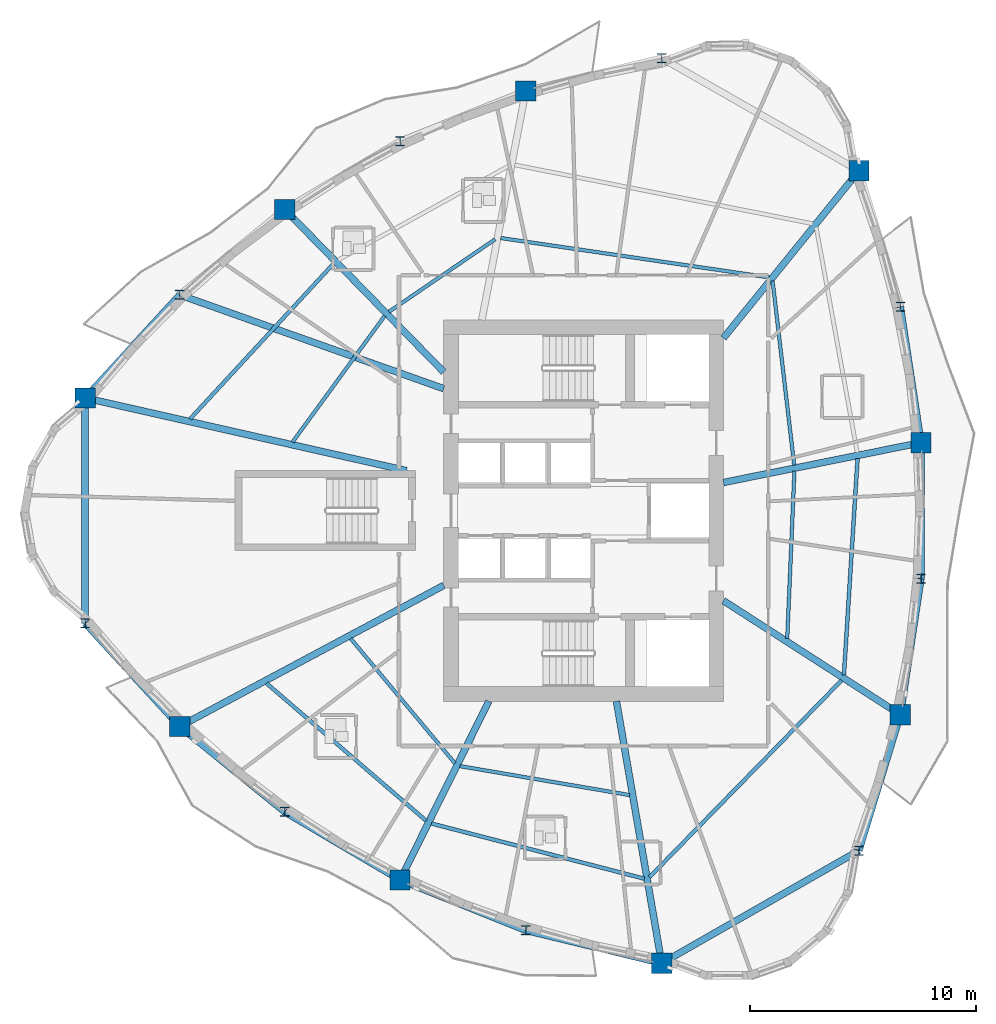
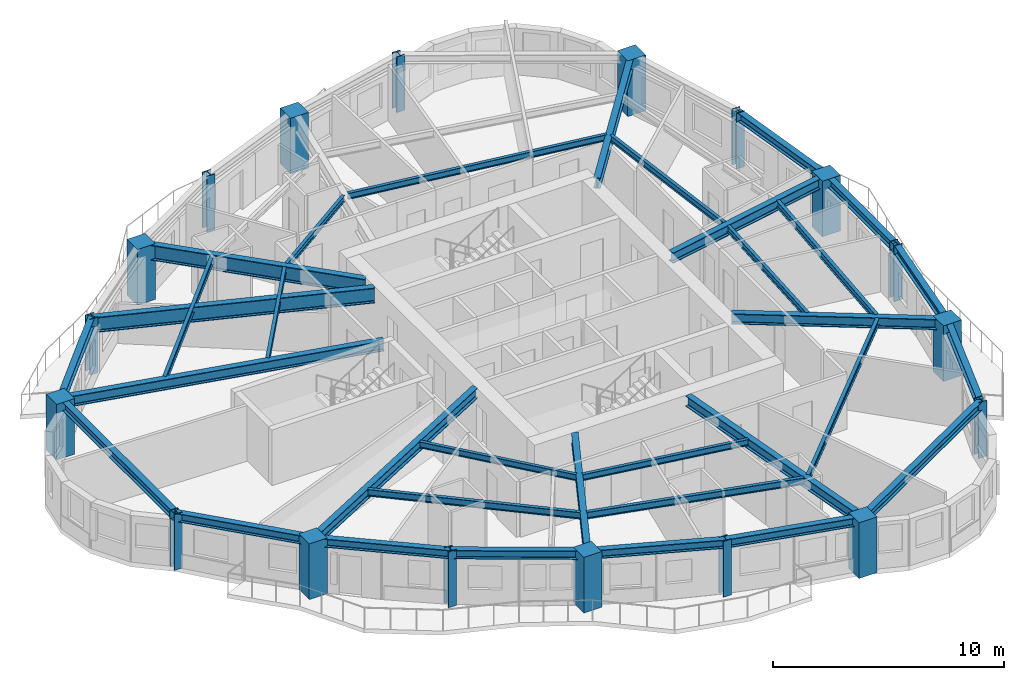
# One storey, part 1 of 12: 33 beams, 18 columns.
"""IFC4 building model written with IfcOpenShell, lengths in metres."""

from ifc_helpers import new_model, si_unit, direction, frame, origin, origin_2d, place, context, subcontext, project, spatial, rectangle, i_section, extrude, source, transform, mapped, material, material_profile, profile_set, type_object, element, save


model = new_model("IFC4")

# Units and contexts
model_context = context("Model", 3, precision=1e-05, world=origin(), true_north=direction((0.0, 1.0)))
body_context = subcontext(model_context, "Body", "Model", "MODEL_VIEW")
ifc_project = project(units=[si_unit("LENGTHUNIT", "METRE"), si_unit("AREAUNIT", "SQUARE_METRE"), si_unit("VOLUMEUNIT", "CUBIC_METRE"), si_unit("PLANEANGLEUNIT", "RADIAN"), si_unit("MASSUNIT", "GRAM", prefix="KILO")], contexts=[model_context])

# Site, building, storey
site_placement = place(None, origin())
site = spatial("IfcSite", under=ifc_project, at=site_placement, CompositionType="ELEMENT")
building_placement = place(site_placement, origin())
building = spatial("IfcBuilding", under=site, at=building_placement, Name="Qafzar Sky-Pleat Residences", CompositionType="ELEMENT")
storey_placement = place(building_placement, frame((0.0, 0.0, 76.800048828125)))
storey = spatial("IfcBuildingStorey", under=building, at=storey_placement, Name="L22", CompositionType="ELEMENT", Elevation=76.800048828125)

# Columns
ifc_material_1 = material(Name="Concrete C60/75", Category="concrete")
ifc_material_profile_1 = material_profile(ifc_material_1, rectangle(XDim=0.89990234375, YDim=0.89990234375, at=origin_2d()), Name="RC 900x900")
ifc_profile_set_1 = profile_set([ifc_material_profile_1], Name="Concrete C60/75")
column_type_1 = type_object("IfcColumnType", Name="COL-RC-900", PredefinedType="COLUMN", material=ifc_profile_set_1)
shared_shape_1 = source(origin(), body_context, "Body", "SweptSolid", [
    extrude(rectangle(XDim=0.89990234375, YDim=0.89990234375, at=origin_2d()), origin(), (0.0, 0.0, 1.0), 2.93505859375),
])
for number, where, z_axis, x_axis, name in (
    (1, (8.255859375, 30.99658203125, 0.0), (0.0, 0.0, 1.0), (1.0, 0.0, 0.0), "L22 Perimeter Mega Column 1"),
    (2, (12.451416015625, 16.436279296875, 0.0), (0.0, 0.0, 1.0), (1.0, 0.0, 0.0), "L22 Perimeter Mega Column 3"),
    (3, (22.217041015625, 9.632568359375, 0.0), (0.0, 0.0, 1.0), (1.0, 0.0, 0.0), "L22 Perimeter Mega Column 5"),
    (4, (33.814697265625, 5.936767578125, 0.0), (0.0, 0.0, 1.0), (1.0, 0.0, 0.0), "L22 Perimeter Mega Column 7"),
    (5, (44.39208984375, 16.9599609375, 0.0), (0.0, 0.0, 1.0), (1.0, 0.0, 0.0), "L22 Perimeter Mega Column 9"),
    (6, (45.30810546875, 29.013427734375, 0.0), (0.0, 0.0, 1.0), (1.0, 0.0, 0.0), "L22 Perimeter Mega Column 11"),
    (7, (42.56005859375, 41.06689453125, 0.0), (0.0, 0.0, 1.0), (1.0, 0.0, 0.0), "L22 Perimeter Mega Column 13"),
    (8, (27.786865234375, 44.60400390625, 0.0), (0.0, 0.0, 1.0), (1.0, 0.0, 0.0), "L22 Perimeter Mega Column 15"),
    (9, (17.105224609375, 39.354248046875, 0.0), (0.0, 0.0, 1.0), (1.0, 0.0, 0.0), "L22 Perimeter Mega Column 17"),
):
    element("IfcColumn", number, at=place(storey_placement, frame(where, z_axis=z_axis, x_axis=x_axis)), inside=storey, type_object=column_type_1, Name=name, PredefinedType="COLUMN", context=body_context, shape_type="MappedRepresentation", body=[
        mapped(shared_shape_1, transform((0.0, 0.0, 0.0), x_axis=(1.0, 0.0, 0.0), y_axis=(0.0, 1.0, 0.0), z_axis=(0.0, 0.0, 1.0), scale=1.0)),
    ])
ifc_material_2 = material(Name="Steel S460", Category="steel")
ifc_material_profile_2 = material_profile(ifc_material_2, i_section(OverallWidth=0.406005859375, OverallDepth=0.416015625, WebThickness=0.027099609375, FlangeThickness=0.0439453125, FilletRadius=0.014892578125, at=origin_2d()), Name="HD 400x382")
ifc_profile_set_2 = profile_set([ifc_material_profile_2], Name="Steel S460")
column_type_2 = type_object("IfcColumnType", Name="COL-STL-HD382", PredefinedType="PILASTER", material=ifc_profile_set_2)
shared_shape_2 = source(origin(), body_context, "Body", "SweptSolid", [
    extrude(i_section(OverallWidth=0.406005859375, OverallDepth=0.416015625, WebThickness=0.027099609375, FlangeThickness=0.0439453125, FilletRadius=0.014892578125, at=origin_2d()), origin(), (0.0, 0.0, 1.0), 2.93505859375),
])
for number, where, z_axis, x_axis, name in (
    (10, (8.255859375, 21.00341796875, 0.0), (0.0, 0.0, 1.0), (1.0, 0.0, 0.0), "L22 Perimeter Mega Column 2"),
    (11, (17.105224609375, 12.645751953125, 0.0), (0.0, 0.0, 1.0), (1.0, 0.0, 0.0), "L22 Perimeter Mega Column 4"),
    (12, (27.786865234375, 7.39599609375, 0.0), (0.0, 0.0, 1.0), (1.0, 0.0, 0.0), "L22 Perimeter Mega Column 6"),
    (13, (42.56005859375, 10.93310546875, 0.0), (0.0, 0.0, 1.0), (1.0, 0.0, 0.0), "L22 Perimeter Mega Column 8"),
    (14, (45.30810546875, 22.986572265625, 0.0), (0.0, 0.0, 1.0), (1.0, 0.0, 0.0), "L22 Perimeter Mega Column 10"),
    (15, (44.39208984375, 35.0400390625, 0.0), (0.0, 0.0, 1.0), (1.0, 0.0, 0.0), "L22 Perimeter Mega Column 12"),
    (16, (33.814697265625, 46.063232421875, 0.0), (0.0, 0.0, 1.0), (1.0, 0.0, 0.0), "L22 Perimeter Mega Column 14"),
    (17, (22.217041015625, 42.367431640625, 0.0), (0.0, 0.0, 1.0), (1.0, 0.0, 0.0), "L22 Perimeter Mega Column 16"),
    (18, (12.451416015625, 35.563720703125, 0.0), (0.0, 0.0, 1.0), (1.0, 0.0, 0.0), "L22 Perimeter Mega Column 18"),
):
    element("IfcColumn", number, at=place(storey_placement, frame(where, z_axis=z_axis, x_axis=x_axis)), inside=storey, type_object=column_type_2, Name=name, PredefinedType="PILASTER", context=body_context, shape_type="MappedRepresentation", body=[
        mapped(shared_shape_2, transform((0.0, 0.0, 0.0), x_axis=(1.0, 0.0, 0.0), y_axis=(0.0, 1.0, 0.0), z_axis=(0.0, 0.0, 1.0), scale=1.0)),
    ])

# Beams
ifc_material_3 = material(Name="Steel S355", Category="steel")
ifc_material_profile_3 = material_profile(ifc_material_3, i_section(OverallWidth=0.300048828125, OverallDepth=0.449951171875, WebThickness=0.013916015625, FlangeThickness=0.02587890625, FilletRadius=0.027099609375, at=origin_2d()), Name="HEB 450")
ifc_profile_set_3 = profile_set([ifc_material_profile_3], Name="Steel S355")
beam_type_1 = type_object("IfcBeamType", Name="BM-SPAN-HEB450", PredefinedType="SPANDREL", material=ifc_profile_set_3)
shared_shape_3 = source(origin(), body_context, "Body", "SweptSolid", [
    extrude(i_section(OverallWidth=0.300048828125, OverallDepth=0.449951171875, WebThickness=0.013916015625, FlangeThickness=0.02587890625, FilletRadius=0.027099609375, at=origin_2d()), origin(), (0.0, 0.0, 1.0), 9.9931640625),
])
beam_1_placement = place(storey_placement, frame((8.255859375, 30.99658203125, 2.7080078125), z_axis=(0.0, -1.0, 0.0), x_axis=(1.0, 0.0, 0.0)))
element("IfcBeam", 19, at=beam_1_placement, inside=storey, type_object=beam_type_1, Name="L22 Perimeter Spandrel Beam 1", PredefinedType="SPANDREL", context=body_context, shape_type="MappedRepresentation", body=[
    mapped(shared_shape_3, transform((0.0, 0.0, 0.0), x_axis=(1.0, 0.0, 0.0), y_axis=(0.0, 1.0, 0.0), z_axis=(0.0, 0.0, 1.0), scale=1.0)),
])
shared_shape_4 = source(origin(), body_context, "Body", "SweptSolid", [
    extrude(i_section(OverallWidth=0.300048828125, OverallDepth=0.449951171875, WebThickness=0.013916015625, FlangeThickness=0.02587890625, FilletRadius=0.027099609375, at=origin_2d()), origin(), (0.0, 0.0, 1.0), 6.20166015625),
])
for number, where, z_axis, x_axis, name in (
    (20, (8.255859375, 21.00341796875, 2.7080078125), (0.676513948363, -0.736429818564, 0.0), (0.736429818564, 0.676513948363, 0.0), "L22 Perimeter Spandrel Beam 2"),
    (21, (12.451416015625, 35.563720703125, 2.7080078125), (-0.676513948363, -0.736429818564, 0.0), (0.736429818564, -0.676513948363, 0.0), "L22 Perimeter Spandrel Beam 18"),
):
    element("IfcBeam", number, at=place(storey_placement, frame(where, z_axis=z_axis, x_axis=x_axis)), inside=storey, type_object=beam_type_1, Name=name, PredefinedType="SPANDREL", context=body_context, shape_type="MappedRepresentation", body=[
        mapped(shared_shape_4, transform((0.0, 0.0, 0.0), x_axis=(1.0, 0.0, 0.0), y_axis=(0.0, 1.0, 0.0), z_axis=(0.0, 0.0, 1.0), scale=1.0)),
    ])
shared_shape_5 = source(origin(), body_context, "Body", "SweptSolid", [
    extrude(i_section(OverallWidth=0.300048828125, OverallDepth=0.449951171875, WebThickness=0.013916015625, FlangeThickness=0.02587890625, FilletRadius=0.027099609375, at=origin_2d()), origin(), (0.0, 0.0, 1.0), 6.002197265625),
])
for number, where, z_axis, x_axis, name in (
    (22, (12.451416015625, 16.436279296875, 2.7080078125), (0.775354482876, -0.631526266978, 0.0), (0.631526266978, 0.775354482876, 0.0), "L22 Perimeter Spandrel Beam 3"),
    (23, (22.217041015625, 9.632568359375, 2.7080078125), (0.927979334947, -0.372631659834, 0.0), (0.372631659834, 0.927979334947, 0.0), "L22 Perimeter Spandrel Beam 5"),
):
    element("IfcBeam", number, at=place(storey_placement, frame(where, z_axis=z_axis, x_axis=x_axis)), inside=storey, type_object=beam_type_1, Name=name, PredefinedType="SPANDREL", context=body_context, shape_type="MappedRepresentation", body=[
        mapped(shared_shape_5, transform((0.0, 0.0, 0.0), x_axis=(1.0, 0.0, 0.0), y_axis=(0.0, 1.0, 0.0), z_axis=(0.0, 0.0, 1.0), scale=1.0)),
    ])
shared_shape_6 = source(origin(), body_context, "Body", "SweptSolid", [
    extrude(i_section(OverallWidth=0.300048828125, OverallDepth=0.449951171875, WebThickness=0.013916015625, FlangeThickness=0.02587890625, FilletRadius=0.027099609375, at=origin_2d()), origin(), (0.0, 0.0, 1.0), 5.933837890625),
])
beam_2_placement = place(storey_placement, frame((17.105224609375, 12.645751953125, 2.7080078125), z_axis=(0.861474825081, -0.507800281362, 0.0), x_axis=(0.507800281362, 0.861474825081, 0.0)))
element("IfcBeam", 24, at=beam_2_placement, inside=storey, type_object=beam_type_1, Name="L22 Perimeter Spandrel Beam 4", PredefinedType="SPANDREL", context=body_context, shape_type="MappedRepresentation", body=[
    mapped(shared_shape_6, transform((0.0, 0.0, 0.0), x_axis=(1.0, 0.0, 0.0), y_axis=(0.0, 1.0, 0.0), z_axis=(0.0, 0.0, 1.0), scale=1.0)),
])
shared_shape_7 = source(origin(), body_context, "Body", "SweptSolid", [
    extrude(i_section(OverallWidth=0.300048828125, OverallDepth=0.449951171875, WebThickness=0.013916015625, FlangeThickness=0.02587890625, FilletRadius=0.027099609375, at=origin_2d()), origin(), (0.0, 0.0, 1.0), 6.201904296875),
])
beam_3_placement = place(storey_placement, frame((27.786865234375, 7.39599609375, 2.7080078125), z_axis=(0.971926258737, -0.235285672275, 0.0), x_axis=(0.235285672275, 0.971926258737, 0.0)))
element("IfcBeam", 25, at=beam_3_placement, inside=storey, type_object=beam_type_1, Name="L22 Perimeter Spandrel Beam 6", PredefinedType="SPANDREL", context=body_context, shape_type="MappedRepresentation", body=[
    mapped(shared_shape_7, transform((0.0, 0.0, 0.0), x_axis=(1.0, 0.0, 0.0), y_axis=(0.0, 1.0, 0.0), z_axis=(0.0, 0.0, 1.0), scale=1.0)),
])
shared_shape_8 = source(origin(), body_context, "Body", "SweptSolid", [
    extrude(i_section(OverallWidth=0.300048828125, OverallDepth=0.449951171875, WebThickness=0.013916015625, FlangeThickness=0.02587890625, FilletRadius=0.027099609375, at=origin_2d()), origin(), (0.0, 0.0, 1.0), 10.072021484375),
])
beam_4_placement = place(storey_placement, frame((33.814697265625, 5.936767578125, 2.7080078125), z_axis=(0.868286397172, 0.496063234363, 0.0), x_axis=(-0.496063234363, 0.868286397172, 0.0)))
element("IfcBeam", 26, at=beam_4_placement, inside=storey, type_object=beam_type_1, Name="L22 Perimeter Spandrel Beam 7", PredefinedType="SPANDREL", context=body_context, shape_type="MappedRepresentation", body=[
    mapped(shared_shape_8, transform((0.0, 0.0, 0.0), x_axis=(1.0, 0.0, 0.0), y_axis=(0.0, 1.0, 0.0), z_axis=(0.0, 0.0, 1.0), scale=1.0)),
])
shared_shape_9 = source(origin(), body_context, "Body", "SweptSolid", [
    extrude(i_section(OverallWidth=0.300048828125, OverallDepth=0.449951171875, WebThickness=0.013916015625, FlangeThickness=0.02587890625, FilletRadius=0.027099609375, at=origin_2d()), origin(), (0.0, 0.0, 1.0), 6.299072265625),
])
beam_5_placement = place(storey_placement, frame((42.56005859375, 10.93310546875, 2.7080078125), z_axis=(0.290837724263, 0.956772396208, 0.0), x_axis=(-0.956772396208, 0.290837724263, 0.0)))
element("IfcBeam", 27, at=beam_5_placement, inside=storey, type_object=beam_type_1, Name="L22 Perimeter Spandrel Beam 8", PredefinedType="SPANDREL", context=body_context, shape_type="MappedRepresentation", body=[
    mapped(shared_shape_9, transform((0.0, 0.0, 0.0), x_axis=(1.0, 0.0, 0.0), y_axis=(0.0, 1.0, 0.0), z_axis=(0.0, 0.0, 1.0), scale=1.0)),
])
shared_shape_10 = source(origin(), body_context, "Body", "SweptSolid", [
    extrude(i_section(OverallWidth=0.300048828125, OverallDepth=0.449951171875, WebThickness=0.013916015625, FlangeThickness=0.02587890625, FilletRadius=0.027099609375, at=origin_2d()), origin(), (0.0, 0.0, 1.0), 6.095947265625),
])
for number, where, z_axis, x_axis, name in (
    (28, (44.39208984375, 16.9599609375, 2.7080078125), (0.150269250575, 0.988645109395, 0.0), (-0.988645109395, 0.150269250575, 0.0), "L22 Perimeter Spandrel Beam 9"),
    (29, (45.30810546875, 29.013427734375, 2.7080078125), (-0.150269250575, 0.988645109395, 0.0), (-0.988645109395, -0.150269250575, 0.0), "L22 Perimeter Spandrel Beam 11"),
):
    element("IfcBeam", number, at=place(storey_placement, frame(where, z_axis=z_axis, x_axis=x_axis)), inside=storey, type_object=beam_type_1, Name=name, PredefinedType="SPANDREL", context=body_context, shape_type="MappedRepresentation", body=[
        mapped(shared_shape_10, transform((0.0, 0.0, 0.0), x_axis=(1.0, 0.0, 0.0), y_axis=(0.0, 1.0, 0.0), z_axis=(0.0, 0.0, 1.0), scale=1.0)),
    ])
shared_shape_11 = source(origin(), body_context, "Body", "SweptSolid", [
    extrude(i_section(OverallWidth=0.300048828125, OverallDepth=0.449951171875, WebThickness=0.013916015625, FlangeThickness=0.02587890625, FilletRadius=0.027099609375, at=origin_2d()), origin(), (0.0, 0.0, 1.0), 6.02685546875),
])
beam_6_placement = place(storey_placement, frame((45.30810546875, 22.986572265625, 2.7080078125), z_axis=(0.0, 1.0, 0.0), x_axis=(-1.0, 0.0, 0.0)))
element("IfcBeam", 30, at=beam_6_placement, inside=storey, type_object=beam_type_1, Name="L22 Perimeter Spandrel Beam 10", PredefinedType="SPANDREL", context=body_context, shape_type="MappedRepresentation", body=[
    mapped(shared_shape_11, transform((0.0, 0.0, 0.0), x_axis=(1.0, 0.0, 0.0), y_axis=(0.0, 1.0, 0.0), z_axis=(0.0, 0.0, 1.0), scale=1.0)),
])
ifc_material_profile_4 = material_profile(ifc_material_3, i_section(OverallWidth=0.300048828125, OverallDepth=0.550048828125, WebThickness=0.014892578125, FlangeThickness=0.029052734375, FilletRadius=0.027099609375, at=origin_2d()), Name="HEB 550")
ifc_profile_set_4 = profile_set([ifc_material_profile_4], Name="Steel S355")
beam_type_2 = type_object("IfcBeamType", Name="BM-GIRD-HEB550", PredefinedType="BEAM", material=ifc_profile_set_4)
shared_shape_12 = source(origin(), body_context, "Body", "SweptSolid", [
    extrude(i_section(OverallWidth=0.300048828125, OverallDepth=0.550048828125, WebThickness=0.014892578125, FlangeThickness=0.029052734375, FilletRadius=0.027099609375, at=origin_2d()), origin(), (0.0, 0.0, 1.0), 14.605224609375),
])
beam_7_placement = place(storey_placement, frame((8.255859375, 30.99658203125, 2.657958984375), z_axis=(0.975367612327, -0.220585631498, 0.0), x_axis=(0.220585631498, 0.975367612327, 0.0)))
element("IfcBeam", 31, at=beam_7_placement, inside=storey, type_object=beam_type_2, Name="L22 Radial Floor Girder 1", PredefinedType="BEAM", context=body_context, shape_type="MappedRepresentation", body=[
    mapped(shared_shape_12, transform((0.0, 0.0, 0.0), x_axis=(1.0, 0.0, 0.0), y_axis=(0.0, 1.0, 0.0), z_axis=(0.0, 0.0, 1.0), scale=1.0)),
])
shared_shape_13 = source(origin(), body_context, "Body", "SweptSolid", [
    extrude(i_section(OverallWidth=0.300048828125, OverallDepth=0.550048828125, WebThickness=0.014892578125, FlangeThickness=0.029052734375, FilletRadius=0.027099609375, at=origin_2d()), origin(), (0.0, 0.0, 1.0), 13.263671875),
])
beam_8_placement = place(storey_placement, frame((12.451416015625, 16.436279296875, 2.657958984375), z_axis=(0.881991426805, 0.471265448598, 0.0), x_axis=(-0.471265448598, 0.881991426805, 0.0)))
element("IfcBeam", 32, at=beam_8_placement, inside=storey, type_object=beam_type_2, Name="L22 Radial Floor Girder 3", PredefinedType="BEAM", context=body_context, shape_type="MappedRepresentation", body=[
    mapped(shared_shape_13, transform((0.0, 0.0, 0.0), x_axis=(1.0, 0.0, 0.0), y_axis=(0.0, 1.0, 0.0), z_axis=(0.0, 0.0, 1.0), scale=1.0)),
])
shared_shape_14 = source(origin(), body_context, "Body", "SweptSolid", [
    extrude(i_section(OverallWidth=0.300048828125, OverallDepth=0.550048828125, WebThickness=0.014892578125, FlangeThickness=0.029052734375, FilletRadius=0.027099609375, at=origin_2d()), origin(), (0.0, 0.0, 1.0), 8.841064453125),
])
beam_9_placement = place(storey_placement, frame((22.217041015625, 9.632568359375, 2.657958984375), z_axis=(0.444980947877, 0.895540035971, 0.0), x_axis=(-0.895540035971, 0.444980947877, 0.0)))
element("IfcBeam", 33, at=beam_9_placement, inside=storey, type_object=beam_type_2, Name="L22 Radial Floor Girder 5", PredefinedType="BEAM", context=body_context, shape_type="MappedRepresentation", body=[
    mapped(shared_shape_14, transform((0.0, 0.0, 0.0), x_axis=(1.0, 0.0, 0.0), y_axis=(0.0, 1.0, 0.0), z_axis=(0.0, 0.0, 1.0), scale=1.0)),
])
shared_shape_15 = source(origin(), body_context, "Body", "SweptSolid", [
    extrude(i_section(OverallWidth=0.300048828125, OverallDepth=0.550048828125, WebThickness=0.014892578125, FlangeThickness=0.029052734375, FilletRadius=0.027099609375, at=origin_2d()), origin(), (0.0, 0.0, 1.0), 11.78515625),
])
beam_10_placement = place(storey_placement, frame((33.814697265625, 5.936767578125, 2.657958984375), z_axis=(-0.170180928842, 0.985412833009, 0.0), x_axis=(-0.985412833009, -0.170180928842, 0.0)))
element("IfcBeam", 34, at=beam_10_placement, inside=storey, type_object=beam_type_2, Name="L22 Radial Floor Girder 7", PredefinedType="BEAM", context=body_context, shape_type="MappedRepresentation", body=[
    mapped(shared_shape_15, transform((0.0, 0.0, 0.0), x_axis=(1.0, 0.0, 0.0), y_axis=(0.0, 1.0, 0.0), z_axis=(0.0, 0.0, 1.0), scale=1.0)),
])
shared_shape_16 = source(origin(), body_context, "Body", "SweptSolid", [
    extrude(i_section(OverallWidth=0.300048828125, OverallDepth=0.550048828125, WebThickness=0.014892578125, FlangeThickness=0.029052734375, FilletRadius=0.027099609375, at=origin_2d()), origin(), (0.0, 0.0, 1.0), 9.32666015625),
])
beam_11_placement = place(storey_placement, frame((44.39208984375, 16.9599609375, 2.657958984375), z_axis=(-0.840823632468, 0.541309171439, 0.0), x_axis=(-0.541309171439, -0.840823632468, 0.0)))
element("IfcBeam", 35, at=beam_11_placement, inside=storey, type_object=beam_type_2, Name="L22 Radial Floor Girder 9", PredefinedType="BEAM", context=body_context, shape_type="MappedRepresentation", body=[
    mapped(shared_shape_16, transform((0.0, 0.0, 0.0), x_axis=(1.0, 0.0, 0.0), y_axis=(0.0, 1.0, 0.0), z_axis=(0.0, 0.0, 1.0), scale=1.0)),
])
shared_shape_17 = source(origin(), body_context, "Body", "SweptSolid", [
    extrude(i_section(OverallWidth=0.300048828125, OverallDepth=0.550048828125, WebThickness=0.014892578125, FlangeThickness=0.029052734375, FilletRadius=0.027099609375, at=origin_2d()), origin(), (0.0, 0.0, 1.0), 8.93408203125),
])
beam_12_placement = place(storey_placement, frame((45.30810546875, 29.013427734375, 2.657958984375), z_axis=(-0.980304336159, -0.197492806217, 0.0), x_axis=(0.197492806217, -0.980304336159, 0.0)))
element("IfcBeam", 36, at=beam_12_placement, inside=storey, type_object=beam_type_2, Name="L22 Radial Floor Girder 11", PredefinedType="BEAM", context=body_context, shape_type="MappedRepresentation", body=[
    mapped(shared_shape_17, transform((0.0, 0.0, 0.0), x_axis=(1.0, 0.0, 0.0), y_axis=(0.0, 1.0, 0.0), z_axis=(0.0, 0.0, 1.0), scale=1.0)),
])
shared_shape_18 = source(origin(), body_context, "Body", "SweptSolid", [
    extrude(i_section(OverallWidth=0.300048828125, OverallDepth=0.550048828125, WebThickness=0.014892578125, FlangeThickness=0.029052734375, FilletRadius=0.027099609375, at=origin_2d()), origin(), (0.0, 0.0, 1.0), 9.545654296875),
])
beam_13_placement = place(storey_placement, frame((42.56005859375, 41.06689453125, 2.657958984375), z_axis=(-0.629601331926, -0.776918375916, 0.0), x_axis=(0.776918375916, -0.629601331926, 0.0)))
element("IfcBeam", 37, at=beam_13_placement, inside=storey, type_object=beam_type_2, Name="L22 Radial Floor Girder 13", PredefinedType="BEAM", context=body_context, shape_type="MappedRepresentation", body=[
    mapped(shared_shape_18, transform((0.0, 0.0, 0.0), x_axis=(1.0, 0.0, 0.0), y_axis=(0.0, 1.0, 0.0), z_axis=(0.0, 0.0, 1.0), scale=1.0)),
])
ifc_material_profile_5 = material_profile(ifc_material_3, i_section(OverallWidth=0.169921875, OverallDepth=0.360107421875, WebThickness=0.008056640625, FlangeThickness=0.0126953125, FilletRadius=0.01806640625, at=origin_2d()), Name="IPE 360")
ifc_profile_set_5 = profile_set([ifc_material_profile_5], Name="Steel S355")
beam_type_3 = type_object("IfcBeamType", Name="BM-JST-IPE360", PredefinedType="JOIST", material=ifc_profile_set_5)
shared_shape_19 = source(origin(), body_context, "Body", "SweptSolid", [
    extrude(i_section(OverallWidth=0.169921875, OverallDepth=0.360107421875, WebThickness=0.008056640625, FlangeThickness=0.0126953125, FilletRadius=0.01806640625, at=origin_2d()), origin(), (0.0, 0.0, 1.0), 9.3388671875),
])
beam_14_placement = place(storey_placement, frame((16.29736328125, 18.348388671875, 2.7529296875), z_axis=(0.757733971928, -0.652563581413, 0.0), x_axis=(0.652563581413, 0.757733971928, 0.0)))
element("IfcBeam", 38, at=beam_14_placement, inside=storey, type_object=beam_type_3, Name="L22 Outer Secondary Floor Joist 2", PredefinedType="JOIST", context=body_context, shape_type="MappedRepresentation", body=[
    mapped(shared_shape_19, transform((0.0, 0.0, 0.0), x_axis=(1.0, 0.0, 0.0), y_axis=(0.0, 1.0, 0.0), z_axis=(0.0, 0.0, 1.0), scale=1.0)),
])
shared_shape_20 = source(origin(), body_context, "Body", "SweptSolid", [
    extrude(i_section(OverallWidth=0.169921875, OverallDepth=0.360107421875, WebThickness=0.008056640625, FlangeThickness=0.0126953125, FilletRadius=0.01806640625, at=origin_2d()), origin(), (0.0, 0.0, 1.0), 9.747314453125),
])
beam_15_placement = place(storey_placement, frame((23.606689453125, 12.132080078125, 2.7529296875), z_axis=(0.968020331334, -0.25087175633, 0.0), x_axis=(0.25087175633, 0.968020331334, 0.0)))
element("IfcBeam", 39, at=beam_15_placement, inside=storey, type_object=beam_type_3, Name="L22 Outer Secondary Floor Joist 3", PredefinedType="JOIST", context=body_context, shape_type="MappedRepresentation", body=[
    mapped(shared_shape_20, transform((0.0, 0.0, 0.0), x_axis=(1.0, 0.0, 0.0), y_axis=(0.0, 1.0, 0.0), z_axis=(0.0, 0.0, 1.0), scale=1.0)),
])
shared_shape_21 = source(origin(), body_context, "Body", "SweptSolid", [
    extrude(i_section(OverallWidth=0.169921875, OverallDepth=0.360107421875, WebThickness=0.008056640625, FlangeThickness=0.0126953125, FilletRadius=0.01806640625, at=origin_2d()), origin(), (0.0, 0.0, 1.0), 12.19873046875),
])
beam_16_placement = place(storey_placement, frame((33.26708984375, 9.74951171875, 2.7529296875), z_axis=(0.698529648879, 0.715581113248, 0.0), x_axis=(-0.715581113248, 0.698529648879, 0.0)))
element("IfcBeam", 40, at=beam_16_placement, inside=storey, type_object=beam_type_3, Name="L22 Outer Secondary Floor Joist 4", PredefinedType="JOIST", context=body_context, shape_type="MappedRepresentation", body=[
    mapped(shared_shape_21, transform((0.0, 0.0, 0.0), x_axis=(1.0, 0.0, 0.0), y_axis=(0.0, 1.0, 0.0), z_axis=(0.0, 0.0, 1.0), scale=1.0)),
])
shared_shape_22 = source(origin(), body_context, "Body", "SweptSolid", [
    extrude(i_section(OverallWidth=0.169921875, OverallDepth=0.360107421875, WebThickness=0.008056640625, FlangeThickness=0.0126953125, FilletRadius=0.01806640625, at=origin_2d()), origin(), (0.0, 0.0, 1.0), 9.623046875),
])
beam_17_placement = place(storey_placement, frame((41.89111328125, 18.710205078125, 2.7529296875), z_axis=(0.062968997663, 0.998015483514, 0.0), x_axis=(-0.998015483514, 0.062968997663, 0.0)))
element("IfcBeam", 41, at=beam_17_placement, inside=storey, type_object=beam_type_3, Name="L22 Outer Secondary Floor Joist 5", PredefinedType="JOIST", context=body_context, shape_type="MappedRepresentation", body=[
    mapped(shared_shape_22, transform((0.0, 0.0, 0.0), x_axis=(1.0, 0.0, 0.0), y_axis=(0.0, 1.0, 0.0), z_axis=(0.0, 0.0, 1.0), scale=1.0)),
])
ifc_material_profile_6 = material_profile(ifc_material_3, i_section(OverallWidth=0.159912109375, OverallDepth=0.330078125, WebThickness=0.007568359375, FlangeThickness=0.011474609375, FilletRadius=0.01806640625, at=origin_2d()), Name="IPE 330")
ifc_profile_set_6 = profile_set([ifc_material_profile_6], Name="Steel S355")
beam_type_4 = type_object("IfcBeamType", Name="BM-JST-IPE330", PredefinedType="JOIST", material=ifc_profile_set_6)
shared_shape_23 = source(origin(), body_context, "Body", "SweptSolid", [
    extrude(i_section(OverallWidth=0.159912109375, OverallDepth=0.330078125, WebThickness=0.007568359375, FlangeThickness=0.011474609375, FilletRadius=0.01806640625, at=origin_2d()), origin(), (0.0, 0.0, 1.0), 7.2080078125),
])
beam_18_placement = place(storey_placement, frame((20.025146484375, 20.333251953125, 2.76806640625), z_axis=(0.641386322743, -0.767218081772, 0.0), x_axis=(0.767218081772, 0.641386322743, 0.0)))
element("IfcBeam", 42, at=beam_18_placement, inside=storey, type_object=beam_type_4, Name="L22 Inner Secondary Floor Joist 2", PredefinedType="JOIST", context=body_context, shape_type="MappedRepresentation", body=[
    mapped(shared_shape_23, transform((0.0, 0.0, 0.0), x_axis=(1.0, 0.0, 0.0), y_axis=(0.0, 1.0, 0.0), z_axis=(0.0, 0.0, 1.0), scale=1.0)),
])
shared_shape_24 = source(origin(), body_context, "Body", "SweptSolid", [
    extrude(i_section(OverallWidth=0.159912109375, OverallDepth=0.330078125, WebThickness=0.007568359375, FlangeThickness=0.011474609375, FilletRadius=0.01806640625, at=origin_2d()), origin(), (0.0, 0.0, 1.0), 7.63916015625),
])
beam_19_placement = place(storey_placement, frame((24.867919921875, 14.677001953125, 2.76806640625), z_axis=(0.985747285865, -0.168232839865, 0.0), x_axis=(0.168232839865, 0.985747285865, 0.0)))
element("IfcBeam", 43, at=beam_19_placement, inside=storey, type_object=beam_type_4, Name="L22 Inner Secondary Floor Joist 3", PredefinedType="JOIST", context=body_context, shape_type="MappedRepresentation", body=[
    mapped(shared_shape_24, transform((0.0, 0.0, 0.0), x_axis=(1.0, 0.0, 0.0), y_axis=(0.0, 1.0, 0.0), z_axis=(0.0, 0.0, 1.0), scale=1.0)),
])
shared_shape_25 = source(origin(), body_context, "Body", "SweptSolid", [
    extrude(i_section(OverallWidth=0.159912109375, OverallDepth=0.330078125, WebThickness=0.007568359375, FlangeThickness=0.011474609375, FilletRadius=0.01806640625, at=origin_2d()), origin(), (0.0, 0.0, 1.0), 7.43017578125),
])
beam_20_placement = place(storey_placement, frame((39.37890625, 20.325927734375, 2.76806640625), z_axis=(0.042846887856, 0.999081650418, 0.0), x_axis=(-0.999081650418, 0.042846887856, 0.0)))
element("IfcBeam", 44, at=beam_20_placement, inside=storey, type_object=beam_type_4, Name="L22 Inner Secondary Floor Joist 5", PredefinedType="JOIST", context=body_context, shape_type="MappedRepresentation", body=[
    mapped(shared_shape_25, transform((0.0, 0.0, 0.0), x_axis=(1.0, 0.0, 0.0), y_axis=(0.0, 1.0, 0.0), z_axis=(0.0, 0.0, 1.0), scale=1.0)),
])
shared_shape_26 = source(origin(), body_context, "Body", "SweptSolid", [
    extrude(i_section(OverallWidth=0.159912109375, OverallDepth=0.330078125, WebThickness=0.007568359375, FlangeThickness=0.011474609375, FilletRadius=0.01806640625, at=origin_2d()), origin(), (0.0, 0.0, 1.0), 8.223876953125),
])
beam_21_placement = place(storey_placement, frame((39.687255859375, 28.018310546875, 2.76806640625), z_axis=(-0.116489865453, 0.993191880377, 0.0), x_axis=(-0.993191880377, -0.116489865453, 0.0)))
element("IfcBeam", 45, at=beam_21_placement, inside=storey, type_object=beam_type_4, Name="L22 Inner Secondary Floor Joist 6", PredefinedType="JOIST", context=body_context, shape_type="MappedRepresentation", body=[
    mapped(shared_shape_26, transform((0.0, 0.0, 0.0), x_axis=(1.0, 0.0, 0.0), y_axis=(0.0, 1.0, 0.0), z_axis=(0.0, 0.0, 1.0), scale=1.0)),
])
ifc_material_profile_7 = material_profile(ifc_material_2, i_section(OverallWidth=0.300048828125, OverallDepth=0.800048828125, WebThickness=0.017578125, FlangeThickness=0.032958984375, FilletRadius=0.030029296875, at=origin_2d()), Name="HEB 800")
ifc_profile_set_7 = profile_set([ifc_material_profile_7], Name="Steel S460")
beam_type_5 = type_object("IfcBeamType", Name="BM-CHORD-HEB800", PredefinedType="BEAM", material=ifc_profile_set_7)
shared_shape_27 = source(origin(), body_context, "Body", "SweptSolid", [
    extrude(i_section(OverallWidth=0.300048828125, OverallDepth=0.800048828125, WebThickness=0.017578125, FlangeThickness=0.032958984375, FilletRadius=0.030029296875, at=origin_2d()), origin(), (0.0, 0.0, 1.0), 10.077880859375),
])
beam_22_placement = place(storey_placement, frame((17.105224609375, 39.354248046875, 2.532958984375), z_axis=(0.699018271869, -0.715103807565, 0.0), x_axis=(0.715103807565, 0.699018271869, 0.0)))
element("IfcBeam", 46, at=beam_22_placement, inside=storey, type_object=beam_type_5, Name="L23 Setback Transfer Girder 17", PredefinedType="BEAM", context=body_context, shape_type="MappedRepresentation", body=[
    mapped(shared_shape_27, transform((0.0, 0.0, 0.0), x_axis=(1.0, 0.0, 0.0), y_axis=(0.0, 1.0, 0.0), z_axis=(0.0, 0.0, 1.0), scale=1.0)),
])
shared_shape_28 = source(origin(), body_context, "Body", "SweptSolid", [
    extrude(i_section(OverallWidth=0.300048828125, OverallDepth=0.800048828125, WebThickness=0.017578125, FlangeThickness=0.032958984375, FilletRadius=0.030029296875, at=origin_2d()), origin(), (0.0, 0.0, 1.0), 12.41455078125),
])
beam_23_placement = place(storey_placement, frame((12.451416015625, 35.563720703125, 2.532958984375), z_axis=(0.942314932967, -0.334727601353, 0.0), x_axis=(0.334727601353, 0.942314932967, 0.0)))
element("IfcBeam", 47, at=beam_23_placement, inside=storey, type_object=beam_type_5, Name="L23 Setback Transfer Girder 18", PredefinedType="BEAM", context=body_context, shape_type="MappedRepresentation", body=[
    mapped(shared_shape_28, transform((0.0, 0.0, 0.0), x_axis=(1.0, 0.0, 0.0), y_axis=(0.0, 1.0, 0.0), z_axis=(0.0, 0.0, 1.0), scale=1.0)),
])
shared_shape_29 = source(origin(), body_context, "Body", "SweptSolid", [
    extrude(i_section(OverallWidth=0.169921875, OverallDepth=0.360107421875, WebThickness=0.008056640625, FlangeThickness=0.0126953125, FilletRadius=0.01806640625, at=origin_2d()), origin(), (0.0, 0.0, 1.0), 9.373779296875),
])
beam_24_placement = place(storey_placement, frame((19.267822265625, 36.948974609375, 2.7529296875), z_axis=(-0.678688900886, -0.734425881771, 0.0), x_axis=(0.734425881771, -0.678688900886, 0.0)))
element("IfcBeam", 48, at=beam_24_placement, inside=storey, type_object=beam_type_3, Name="L22 Outer Secondary Floor Joist 9", PredefinedType="JOIST", context=body_context, shape_type="MappedRepresentation", body=[
    mapped(shared_shape_29, transform((0.0, 0.0, 0.0), x_axis=(1.0, 0.0, 0.0), y_axis=(0.0, 1.0, 0.0), z_axis=(0.0, 0.0, 1.0), scale=1.0)),
])
shared_shape_30 = source(origin(), body_context, "Body", "SweptSolid", [
    extrude(i_section(OverallWidth=0.159912109375, OverallDepth=0.330078125, WebThickness=0.007568359375, FlangeThickness=0.011474609375, FilletRadius=0.01806640625, at=origin_2d()), origin(), (0.0, 0.0, 1.0), 12.032470703125),
])
beam_25_placement = place(storey_placement, frame((38.580078125, 36.340087890625, 2.76806640625), z_axis=(-0.989420895211, 0.145073402526, 0.0), x_axis=(-0.145073402526, -0.989420895211, 0.0)))
element("IfcBeam", 49, at=beam_25_placement, inside=storey, type_object=beam_type_4, Name="L22 Inner Secondary Floor Joist 7", PredefinedType="JOIST", context=body_context, shape_type="MappedRepresentation", body=[
    mapped(shared_shape_30, transform((0.0, 0.0, 0.0), x_axis=(1.0, 0.0, 0.0), y_axis=(0.0, 1.0, 0.0), z_axis=(0.0, 0.0, 1.0), scale=1.0)),
])
shared_shape_31 = source(origin(), body_context, "Body", "SweptSolid", [
    extrude(i_section(OverallWidth=0.159912109375, OverallDepth=0.330078125, WebThickness=0.007568359375, FlangeThickness=0.011474609375, FilletRadius=0.01806640625, at=origin_2d()), origin(), (0.0, 0.0, 1.0), 5.69580078125),
])
beam_26_placement = place(storey_placement, frame((26.4296875, 38.029296875, 2.76806640625), z_axis=(-0.825927063641, -0.563776982099, 0.0), x_axis=(0.563776982099, -0.825927063641, 0.0)))
element("IfcBeam", 50, at=beam_26_placement, inside=storey, type_object=beam_type_4, Name="L22 Inner Secondary Floor Joist 8", PredefinedType="JOIST", context=body_context, shape_type="MappedRepresentation", body=[
    mapped(shared_shape_31, transform((0.0, 0.0, 0.0), x_axis=(1.0, 0.0, 0.0), y_axis=(0.0, 1.0, 0.0), z_axis=(0.0, 0.0, 1.0), scale=1.0)),
])
shared_shape_32 = source(origin(), body_context, "Body", "SweptSolid", [
    extrude(i_section(OverallWidth=0.159912109375, OverallDepth=0.330078125, WebThickness=0.007568359375, FlangeThickness=0.011474609375, FilletRadius=0.01806640625, at=origin_2d()), origin(), (0.0, 0.0, 1.0), 6.9208984375),
])
beam_27_placement = place(storey_placement, frame((21.5341796875, 34.6328125, 2.76806640625), z_axis=(-0.589775109528, -0.807567532892, 0.0), x_axis=(0.807567532892, -0.589775109528, 0.0)))
element("IfcBeam", 51, at=beam_27_placement, inside=storey, type_object=beam_type_4, Name="L22 Inner Secondary Floor Joist 9", PredefinedType="JOIST", context=body_context, shape_type="MappedRepresentation", body=[
    mapped(shared_shape_32, transform((0.0, 0.0, 0.0), x_axis=(1.0, 0.0, 0.0), y_axis=(0.0, 1.0, 0.0), z_axis=(0.0, 0.0, 1.0), scale=1.0)),
])

save(model, "model.ifc")
